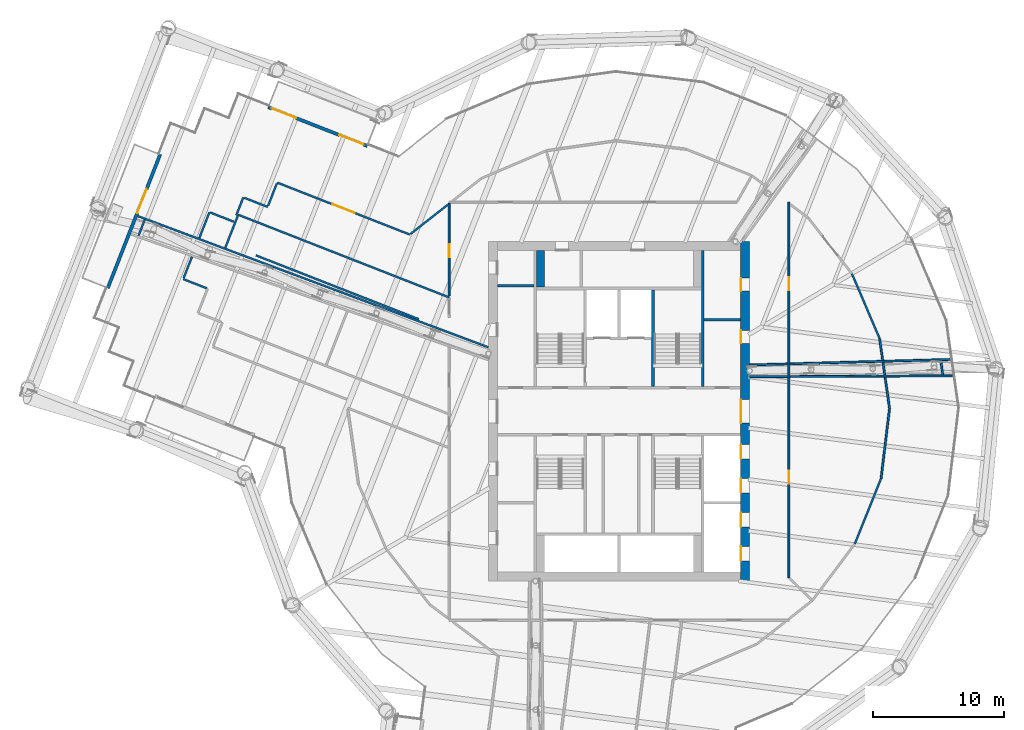
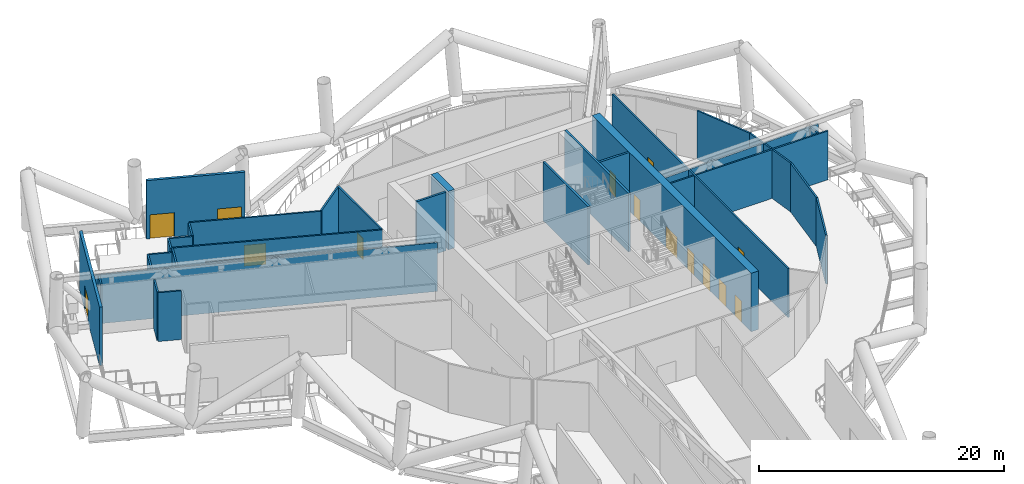
# One storey, part 13 of 36: 35 walls, 14 doors, 14 openings.
"""IFC4 building model written with IfcOpenShell, lengths in metres."""

from ifc_helpers import new_model, si_unit, direction, frame, frame_2d, origin, place, context, subcontext, project, spatial, rectangle, extrude, material, layer, layer_set, type_object, element, fill, save


model = new_model("IFC4")

# Units and contexts
model_context = context("Model", 3, precision=1e-05, world=origin(), true_north=direction((0.0, 1.0)))
body_context = subcontext(model_context, "Body", "Model", "MODEL_VIEW")
ifc_project = project(units=[si_unit("LENGTHUNIT", "METRE"), si_unit("AREAUNIT", "SQUARE_METRE"), si_unit("VOLUMEUNIT", "CUBIC_METRE"), si_unit("PLANEANGLEUNIT", "RADIAN"), si_unit("MASSUNIT", "GRAM", prefix="KILO")], contexts=[model_context])

# Site, building, storey
site_placement = place(None, origin())
site = spatial("IfcSite", under=ifc_project, at=site_placement, CompositionType="ELEMENT")
building_placement = place(site_placement, origin())
building = spatial("IfcBuilding", under=site, at=building_placement, Name="Tarsis Ring Headquarters", CompositionType="ELEMENT")
storey_placement = place(building_placement, frame((0.0, 0.0, 194.39990234375)))
storey = spatial("IfcBuildingStorey", under=building, at=storey_placement, Name="L45", CompositionType="ELEMENT", Elevation=194.39990234375)

# Walls
ifc_material_1 = material(Name="Blockwork", Category="masonry")
ifc_layer_1 = layer(ifc_material_1, 0.199951171875)
ifc_layer_set_1 = layer_set([ifc_layer_1], Name="Core blockwork wall 200")
wall_type_1 = type_object("IfcWallType", Name="Core blockwork wall 200", PredefinedType="PARTITIONING", material=ifc_layer_set_1)
for number, where, z_axis, x_axis, name in (
    (1, (-9.300048828125, 9.60009765625, 0.0), (0.0, 0.0, 1.0), (1.0, 0.0, 0.0), "Core partition WD7"),
    (2, (6.5, 7.0, 0.0), (0.0, 0.0, 1.0), (1.0, 0.0, 0.0), "Core partition ED6"),
):
    element("IfcWall", number, at=place(storey_placement, frame(where, z_axis=z_axis, x_axis=x_axis)), inside=storey, type_object=wall_type_1, Name=name, PredefinedType="PARTITIONING", context=body_context, shape_type="SweptSolid", body=[
        extrude(rectangle(XDim=2.800048828125, YDim=0.199951171875, at=frame_2d((1.39990234375, 0.0))), origin(), (0.0, 0.0, 1.0), 5.840087890625),
    ])

# Wall, openings, doors
ifc_material_2 = material(Name="Concrete C50/60", Category="concrete")
ifc_layer_2 = layer(ifc_material_2, 0.699951171875)
ifc_layer_set_2 = layer_set([ifc_layer_2], Name="Core wall 700 C50/60")
wall_type_2 = type_object("IfcWallType", Name="Core wall 700 C50/60", PredefinedType="SHEAR", material=ifc_layer_set_2)
wall_1_placement = place(storey_placement, frame((9.64990234375, -13.0, 0.0), z_axis=(0.0, 0.0, 1.0), x_axis=(0.0, 1.0, 0.0)))
wall_1 = element("IfcWall", 3, at=wall_1_placement, inside=storey, type_object=wall_type_2, Name="Core wall OE", PredefinedType="SHEAR", context=body_context, shape_type="SweptSolid", body=[
    extrude(rectangle(XDim=26.0, YDim=0.699951171875, at=frame_2d((13.0, 0.0))), origin(), (0.0, 0.0, 1.0), 5.840087890625),
])
opening_1_placement = place(wall_1_placement, frame((1.550048828125, 0.0, 0.0)))
opening_1 = element("IfcOpeningElement", 4, at=opening_1_placement, cuts=wall_1, Name="Opening LD-MR1", PredefinedType="OPENING", context=body_context, shape_type="SweptSolid", body=[
    extrude(rectangle(XDim=1.10009765625, YDim=2.10009765625, at=frame_2d((0.550048828125, 1.050048828125))), frame((0.0, 0.35986328125, 0.0), z_axis=(0.0, -1.0, 0.0), x_axis=(1.0, 0.0, 0.0)), (0.0, 0.0, 1.0), 0.719970703125),
])
opening_2_placement = place(wall_1_placement, frame((4.14990234375, 0.0, 0.0)))
opening_2 = element("IfcOpeningElement", 5, at=opening_2_placement, cuts=wall_1, Name="Opening LD-MR2", PredefinedType="OPENING", context=body_context, shape_type="SweptSolid", body=[
    extrude(rectangle(XDim=1.10009765625, YDim=2.10009765625, at=frame_2d((0.550048828125, 1.050048828125))), frame((0.0, 0.35986328125, 0.0), z_axis=(0.0, -1.0, 0.0), x_axis=(1.0, 0.0, 0.0)), (0.0, 0.0, 1.0), 0.719970703125),
])
opening_3_placement = place(wall_1_placement, frame((6.75, 0.0, 0.0)))
opening_3 = element("IfcOpeningElement", 6, at=opening_3_placement, cuts=wall_1, Name="Opening LD-MR3", PredefinedType="OPENING", context=body_context, shape_type="SweptSolid", body=[
    extrude(rectangle(XDim=1.10009765625, YDim=2.10009765625, at=frame_2d((0.550048828125, 1.050048828125))), frame((0.0, 0.35986328125, 0.0), z_axis=(0.0, -1.0, 0.0), x_axis=(1.0, 0.0, 0.0)), (0.0, 0.0, 1.0), 0.719970703125),
])
opening_4_placement = place(wall_1_placement, frame((9.35009765625, 0.0, 0.0)))
opening_4 = element("IfcOpeningElement", 7, at=opening_4_placement, cuts=wall_1, Name="Opening LD-MR4", PredefinedType="OPENING", context=body_context, shape_type="SweptSolid", body=[
    extrude(rectangle(XDim=1.10009765625, YDim=2.10009765625, at=frame_2d((0.550048828125, 1.050048828125))), frame((0.0, 0.35986328125, 0.0), z_axis=(0.0, -1.0, 0.0), x_axis=(1.0, 0.0, 0.0)), (0.0, 0.0, 1.0), 0.719970703125),
])
opening_5_placement = place(wall_1_placement, frame((12.10009765625, 0.0, 0.0)))
opening_5 = element("IfcOpeningElement", 8, at=opening_5_placement, cuts=wall_1, Name="Opening L45-C10", PredefinedType="OPENING", context=body_context, shape_type="SweptSolid", body=[
    extrude(rectangle(XDim=1.800048828125, YDim=2.10009765625, at=frame_2d((0.89990234375, 1.050048828125))), frame((0.0, 0.35986328125, 0.0), z_axis=(0.0, -1.0, 0.0), x_axis=(1.0, 0.0, 0.0)), (0.0, 0.0, 1.0), 0.719970703125),
])
opening_6_placement = place(wall_1_placement, frame((18.199951171875, 0.0, 0.0)))
opening_6 = element("IfcOpeningElement", 9, at=opening_6_placement, cuts=wall_1, Name="Opening L45-C11", PredefinedType="OPENING", context=body_context, shape_type="SweptSolid", body=[
    extrude(rectangle(XDim=1.0, YDim=2.10009765625, at=frame_2d((0.5, 1.050048828125))), frame((0.0, 0.35986328125, 0.0), z_axis=(0.0, -1.0, 0.0), x_axis=(1.0, 0.0, 0.0)), (0.0, 0.0, 1.0), 0.719970703125),
])
opening_7_placement = place(wall_1_placement, frame((22.199951171875, 0.0, 0.0)))
opening_7 = element("IfcOpeningElement", 10, at=opening_7_placement, cuts=wall_1, Name="Opening L45-C12", PredefinedType="OPENING", context=body_context, shape_type="SweptSolid", body=[
    extrude(rectangle(XDim=1.0, YDim=2.10009765625, at=frame_2d((0.5, 1.050048828125))), frame((0.0, 0.35986328125, 0.0), z_axis=(0.0, -1.0, 0.0), x_axis=(1.0, 0.0, 0.0)), (0.0, 0.0, 1.0), 0.719970703125),
])
ifc_material_3 = material(Name="Steel S355", Category="steel")
door_type_1 = type_object("IfcDoorType", Name="Core entry door 1800x2100", OperationType="DOUBLE_DOOR_SINGLE_SWING", PredefinedType="DOOR", material=ifc_material_3)
door_1_placement = place(opening_5_placement, origin())
door_1 = element("IfcDoor", 11, at=door_1_placement, inside=storey, type_object=door_type_1, Name="Core entry door L45", OperationType="DOUBLE_DOOR_SINGLE_SWING", OverallHeight=2.10009765625, OverallWidth=1.800048828125, PredefinedType="DOOR", context=body_context, shape_type="SweptSolid", body=[
    extrude(rectangle(XDim=1.800048828125, YDim=2.10009765625, at=frame_2d((0.89990234375, 1.050048828125))), frame((0.0, 0.35009765625, 0.0), z_axis=(0.0, -1.0, 0.0), x_axis=(1.0, 0.0, 0.0)), (0.0, 0.0, 1.0), 0.050048828125),
])
fill(opening_5, door_1)
door_type_2 = type_object("IfcDoorType", Name="Core room door 1000x2100", OperationType="SINGLE_SWING_LEFT", PredefinedType="DOOR", material=ifc_material_3)
door_2_placement = place(opening_6_placement, origin())
door_2 = element("IfcDoor", 12, at=door_2_placement, inside=storey, type_object=door_type_2, Name="Core room door L45", OperationType="SINGLE_SWING_LEFT", OverallHeight=2.10009765625, OverallWidth=1.0, PredefinedType="DOOR", context=body_context, shape_type="SweptSolid", body=[
    extrude(rectangle(XDim=1.0, YDim=2.10009765625, at=frame_2d((0.5, 1.050048828125))), frame((0.0, 0.35009765625, 0.0), z_axis=(0.0, -1.0, 0.0), x_axis=(1.0, 0.0, 0.0)), (0.0, 0.0, 1.0), 0.050048828125),
])
fill(opening_6, door_2)
door_3_placement = place(opening_7_placement, origin())
door_3 = element("IfcDoor", 13, at=door_3_placement, inside=storey, type_object=door_type_2, Name="Core room door L45", OperationType="SINGLE_SWING_LEFT", OverallHeight=2.10009765625, OverallWidth=1.0, PredefinedType="DOOR", context=body_context, shape_type="SweptSolid", body=[
    extrude(rectangle(XDim=1.0, YDim=2.10009765625, at=frame_2d((0.5, 1.050048828125))), frame((0.0, 0.35009765625, 0.0), z_axis=(0.0, -1.0, 0.0), x_axis=(1.0, 0.0, 0.0)), (0.0, 0.0, 1.0), 0.050048828125),
])
fill(opening_7, door_3)
door_type_3 = type_object("IfcDoorType", Name="Landing door 1100x2100", OperationType="SLIDING_TO_LEFT", PredefinedType="DOOR", material=ifc_material_3)
door_4_placement = place(opening_1_placement, origin())
door_4 = element("IfcDoor", 14, at=door_4_placement, inside=storey, type_object=door_type_3, Name="Landing door MR1 L45", OperationType="SLIDING_TO_LEFT", OverallHeight=2.10009765625, OverallWidth=1.10009765625, PredefinedType="DOOR", context=body_context, shape_type="SweptSolid", body=[
    extrude(rectangle(XDim=1.10009765625, YDim=2.10009765625, at=frame_2d((0.550048828125, 1.050048828125))), frame((0.0, 0.35009765625, 0.0), z_axis=(0.0, -1.0, 0.0), x_axis=(1.0, 0.0, 0.0)), (0.0, 0.0, 1.0), 0.050048828125),
])
fill(opening_1, door_4)
door_5_placement = place(opening_2_placement, origin())
door_5 = element("IfcDoor", 15, at=door_5_placement, inside=storey, type_object=door_type_3, Name="Landing door MR2 L45", OperationType="SLIDING_TO_LEFT", OverallHeight=2.10009765625, OverallWidth=1.10009765625, PredefinedType="DOOR", context=body_context, shape_type="SweptSolid", body=[
    extrude(rectangle(XDim=1.10009765625, YDim=2.10009765625, at=frame_2d((0.550048828125, 1.050048828125))), frame((0.0, 0.35009765625, 0.0), z_axis=(0.0, -1.0, 0.0), x_axis=(1.0, 0.0, 0.0)), (0.0, 0.0, 1.0), 0.050048828125),
])
fill(opening_2, door_5)
door_6_placement = place(opening_3_placement, origin())
door_6 = element("IfcDoor", 16, at=door_6_placement, inside=storey, type_object=door_type_3, Name="Landing door MR3 L45", OperationType="SLIDING_TO_LEFT", OverallHeight=2.10009765625, OverallWidth=1.10009765625, PredefinedType="DOOR", context=body_context, shape_type="SweptSolid", body=[
    extrude(rectangle(XDim=1.10009765625, YDim=2.10009765625, at=frame_2d((0.550048828125, 1.050048828125))), frame((0.0, 0.35009765625, 0.0), z_axis=(0.0, -1.0, 0.0), x_axis=(1.0, 0.0, 0.0)), (0.0, 0.0, 1.0), 0.050048828125),
])
fill(opening_3, door_6)
door_7_placement = place(opening_4_placement, origin())
door_7 = element("IfcDoor", 17, at=door_7_placement, inside=storey, type_object=door_type_3, Name="Landing door MR4 L45", OperationType="SLIDING_TO_LEFT", OverallHeight=2.10009765625, OverallWidth=1.10009765625, PredefinedType="DOOR", context=body_context, shape_type="SweptSolid", body=[
    extrude(rectangle(XDim=1.10009765625, YDim=2.10009765625, at=frame_2d((0.550048828125, 1.050048828125))), frame((0.0, 0.35009765625, 0.0), z_axis=(0.0, -1.0, 0.0), x_axis=(1.0, 0.0, 0.0)), (0.0, 0.0, 1.0), 0.050048828125),
])
fill(opening_4, door_7)

ifc_material_4 = material(Name="Gypsum board on steel studs", Category="steel")
ifc_layer_3 = layer(ifc_material_4, 0.14990234375)
ifc_layer_set_3 = layer_set([ifc_layer_3], Name="FL partition 150 EI 120 H4870")
wall_type_3 = type_object("IfcWallType", Name="FL partition 150 EI 120 H4870", PredefinedType="PARTITIONING", material=ifc_layer_set_3)
wall_2_placement = place(storey_placement, frame((13.0, -12.73046875, 0.0), z_axis=(0.0, 0.0, 1.0), x_axis=(0.0, 1.0, 0.0)))
wall_2 = element("IfcWall", 18, at=wall_2_placement, inside=storey, type_object=wall_type_3, Name="Partition PW2H487", PredefinedType="PARTITIONING", context=body_context, shape_type="SweptSolid", body=[
    extrude(rectangle(XDim=28.728515625, YDim=0.14990234375, at=frame_2d((14.3642578125, 0.0))), origin(), (0.0, 0.0, 1.0), 4.8701171875),
])
opening_8_placement = place(wall_2_placement, frame((22.001220703125, 0.0, 0.0)))
opening_8 = element("IfcOpeningElement", 19, at=opening_8_placement, cuts=wall_2, Name="Opening D45.06", PredefinedType="OPENING", context=body_context, shape_type="SweptSolid", body=[
    extrude(rectangle(XDim=1.0, YDim=2.10009765625, at=frame_2d((0.5, 1.050048828125))), frame((0.0, 0.0849609375, 0.0), z_axis=(0.0, -1.0, 0.0), x_axis=(1.0, 0.0, 0.0)), (0.0, 0.0, 1.0), 0.169921875),
])
opening_9_placement = place(wall_2_placement, frame((7.197021484375, 0.0, 0.0)))
opening_9 = element("IfcOpeningElement", 20, at=opening_9_placement, cuts=wall_2, Name="Opening D45.07", PredefinedType="OPENING", context=body_context, shape_type="SweptSolid", body=[
    extrude(rectangle(XDim=1.0, YDim=2.10009765625, at=frame_2d((0.5, 1.050048828125))), frame((0.0, 0.0849609375, 0.0), z_axis=(0.0, -1.0, 0.0), x_axis=(1.0, 0.0, 0.0)), (0.0, 0.0, 1.0), 0.169921875),
])
ifc_material_5 = material(Name="Fire-rated timber door leaf in steel frame", Category="steel")
door_type_4 = type_object("IfcDoorType", Name="FL door FD120-1000", OperationType="NOTDEFINED", PredefinedType="DOOR", material=ifc_material_5)
door_8_placement = place(opening_8_placement, origin())
door_8 = element("IfcDoor", 21, at=door_8_placement, inside=storey, type_object=door_type_4, Name="Door D45.06", OperationType="SINGLE_SWING_LEFT", OverallHeight=2.10009765625, OverallWidth=1.0, PredefinedType="DOOR", context=body_context, shape_type="SweptSolid", body=[
    extrude(rectangle(XDim=1.0, YDim=2.10009765625, at=frame_2d((0.5, 1.050048828125))), frame((0.0, 0.02490234375, 0.0), z_axis=(0.0, -1.0, 0.0), x_axis=(1.0, 0.0, 0.0)), (0.0, 0.0, 1.0), 0.050048828125),
])
fill(opening_8, door_8)
door_9_placement = place(opening_9_placement, origin())
door_9 = element("IfcDoor", 22, at=door_9_placement, inside=storey, type_object=door_type_4, Name="Door D45.07", OperationType="SINGLE_SWING_RIGHT", OverallHeight=2.10009765625, OverallWidth=1.0, PredefinedType="DOOR", context=body_context, shape_type="SweptSolid", body=[
    extrude(rectangle(XDim=1.0, YDim=2.10009765625, at=frame_2d((0.5, 1.050048828125))), frame((0.0, 0.02490234375, 0.0), z_axis=(0.0, -1.0, 0.0), x_axis=(1.0, 0.0, 0.0)), (0.0, 0.0, 1.0), 0.050048828125),
])
fill(opening_9, door_9)

# Walls
wall_3_placement = place(storey_placement, frame((-37.02490234375, 15.0126953125, 0.0), z_axis=(0.0, 0.0, 1.0), x_axis=(0.936537269458, -0.350568028941, 0.0)))
element("IfcWall", 23, at=wall_3_placement, inside=storey, type_object=wall_type_3, Name="Partition PW2H487", PredefinedType="PARTITIONING", context=body_context, shape_type="SweptSolid", body=[
    extrude(rectangle(XDim=28.85791015625, YDim=0.14990234375, at=frame_2d((14.428955078125, 0.0))), origin(), (0.0, 0.0, 1.0), 4.8701171875),
])
wall_4_placement = place(storey_placement, frame((-29.150634765625, 15.043701171875, 0.0), z_axis=(0.0, 0.0, 1.0), x_axis=(0.931051403664, -0.36488804274, 0.0)))
element("IfcWall", 24, at=wall_4_placement, inside=storey, type_object=wall_type_3, Name="Partition PW2H487", PredefinedType="PARTITIONING", context=body_context, shape_type="SweptSolid", body=[
    extrude(rectangle(XDim=17.3466796875, YDim=0.14990234375, at=frame_2d((8.67333984375, 0.0))), origin(), (0.0, 0.0, 1.0), 4.8701171875),
])
wall_5_placement = place(storey_placement, frame((10.0, 2.64599609375, 0.0), z_axis=(0.0, 0.0, 1.0), x_axis=(0.999989461595, 0.004590936593, 0.0)))
element("IfcWall", 25, at=wall_5_placement, inside=storey, type_object=wall_type_3, Name="Partition PW2H487", PredefinedType="PARTITIONING", context=body_context, shape_type="SweptSolid", body=[
    extrude(rectangle(XDim=2.9248046875, YDim=0.14990234375, at=frame_2d((1.46240234375, 0.0))), origin(), (0.0, 0.0, 1.0), 4.8701171875),
])
wall_6_placement = place(storey_placement, frame((13.0751953125, 2.66015625, 0.0), z_axis=(0.0, 0.0, 1.0), x_axis=(0.999989504585, 0.004581563082, 0.0)))
element("IfcWall", 26, at=wall_6_placement, inside=storey, type_object=wall_type_3, Name="Partition PW2H487", PredefinedType="PARTITIONING", context=body_context, shape_type="SweptSolid", body=[
    extrude(rectangle(XDim=12.522705078125, YDim=0.14990234375, at=frame_2d((6.26123046875, 0.0))), origin(), (0.0, 0.0, 1.0), 4.8701171875),
])
wall_7_placement = place(storey_placement, frame((10.0, 3.54541015625, 0.0), z_axis=(0.0, 0.0, 1.0), x_axis=(0.999624906213, 0.027386983732, 0.0)))
element("IfcWall", 27, at=wall_7_placement, inside=storey, type_object=wall_type_3, Name="Partition PW2H487", PredefinedType="PARTITIONING", context=body_context, shape_type="SweptSolid", body=[
    extrude(rectangle(XDim=2.923828125, YDim=0.14990234375, at=frame_2d((1.4619140625, 0.0))), origin(), (0.0, 0.0, 1.0), 4.8701171875),
])
wall_8_placement = place(storey_placement, frame((13.0771484375, 3.6298828125, 0.0), z_axis=(0.0, 0.0, 1.0), x_axis=(0.999623889665, 0.027424062641, 0.0)))
element("IfcWall", 28, at=wall_8_placement, inside=storey, type_object=wall_type_3, Name="Partition PW2H487", PredefinedType="PARTITIONING", context=body_context, shape_type="SweptSolid", body=[
    extrude(rectangle(XDim=12.34765625, YDim=0.14990234375, at=frame_2d((6.173828125, 0.0))), origin(), (0.0, 0.0, 1.0), 4.8701171875),
])
wall_9_placement = place(storey_placement, frame((-27.7900390625, 11.9326171875, 0.0), z_axis=(0.0, 0.0, 1.0), x_axis=(0.931059032711, -0.364868575801, 0.0)))
element("IfcWall", 29, at=wall_9_placement, inside=storey, type_object=wall_type_3, Name="Partition PW2H487", PredefinedType="PARTITIONING", context=body_context, shape_type="SweptSolid", body=[
    extrude(rectangle(XDim=13.397705078125, YDim=0.14990234375, at=frame_2d((6.69873046875, 0.0))), origin(), (0.0, 0.0, 1.0), 4.8701171875),
])

# Wall, opening, door
wall_10_placement = place(storey_placement, frame((-26.1669921875, 17.504638671875, 0.0), z_axis=(0.0, 0.0, 1.0), x_axis=(0.931048697296, -0.364894948256, 0.0)))
wall_10 = element("IfcWall", 30, at=wall_10_placement, inside=storey, type_object=wall_type_3, Name="Partition PW2H487", PredefinedType="PARTITIONING", context=body_context, shape_type="SweptSolid", body=[
    extrude(rectangle(XDim=10.90185546875, YDim=0.14990234375, at=frame_2d((5.450927734375, 0.0))), origin(), (0.0, 0.0, 1.0), 4.8701171875),
])
opening_10_placement = place(wall_10_placement, frame((4.55078125, 0.0, 0.0)))
opening_10 = element("IfcOpeningElement", 31, at=opening_10_placement, cuts=wall_10, Name="Opening D45.17", PredefinedType="OPENING", context=body_context, shape_type="SweptSolid", body=[
    extrude(rectangle(XDim=1.800048828125, YDim=2.10009765625, at=frame_2d((0.89990234375, 1.050048828125))), frame((0.0, 0.0849609375, 0.0), z_axis=(0.0, -1.0, 0.0), x_axis=(1.0, 0.0, 0.0)), (0.0, 0.0, 1.0), 0.169921875),
])
door_type_5 = type_object("IfcDoorType", Name="FL door FD120-1800", OperationType="DOUBLE_DOOR_SINGLE_SWING", PredefinedType="DOOR", material=ifc_material_5)
door_10_placement = place(opening_10_placement, origin())
door_10 = element("IfcDoor", 32, at=door_10_placement, inside=storey, type_object=door_type_5, Name="Door D45.17", OperationType="DOUBLE_DOOR_SINGLE_SWING", OverallHeight=2.10009765625, OverallWidth=1.800048828125, PredefinedType="DOOR", context=body_context, shape_type="SweptSolid", body=[
    extrude(rectangle(XDim=1.800048828125, YDim=2.10009765625, at=frame_2d((0.89990234375, 1.050048828125))), frame((0.0, 0.02490234375, 0.0), z_axis=(0.0, -1.0, 0.0), x_axis=(1.0, 0.0, 0.0)), (0.0, 0.0, 1.0), 0.050048828125),
])
fill(opening_10, door_10)

wall_11_placement = place(storey_placement, frame((-13.0, 8.82421875, 0.0), z_axis=(0.0, 0.0, 1.0), x_axis=(0.0, 1.0, 0.0)))
wall_11 = element("IfcWall", 33, at=wall_11_placement, inside=storey, type_object=wall_type_3, Name="Partition PW2H487", PredefinedType="PARTITIONING", context=body_context, shape_type="SweptSolid", body=[
    extrude(rectangle(XDim=7.09375, YDim=0.14990234375, at=frame_2d((3.546875, 0.0))), origin(), (0.0, 0.0, 1.0), 4.8701171875),
])
opening_11_placement = place(wall_11_placement, frame((2.97900390625, 0.0, 0.0)))
opening_11 = element("IfcOpeningElement", 34, at=opening_11_placement, cuts=wall_11, Name="Opening D45.01", PredefinedType="OPENING", context=body_context, shape_type="SweptSolid", body=[
    extrude(rectangle(XDim=1.0, YDim=2.10009765625, at=frame_2d((0.5, 1.050048828125))), frame((0.0, 0.0849609375, 0.0), z_axis=(0.0, -1.0, 0.0), x_axis=(1.0, 0.0, 0.0)), (0.0, 0.0, 1.0), 0.169921875),
])
door_11_placement = place(opening_11_placement, origin())
door_11 = element("IfcDoor", 35, at=door_11_placement, inside=storey, type_object=door_type_4, Name="Door D45.01", OperationType="SINGLE_SWING_RIGHT", OverallHeight=2.10009765625, OverallWidth=1.0, PredefinedType="DOOR", context=body_context, shape_type="SweptSolid", body=[
    extrude(rectangle(XDim=1.0, YDim=2.10009765625, at=frame_2d((0.5, 1.050048828125))), frame((0.0, 0.02490234375, 0.0), z_axis=(0.0, -1.0, 0.0), x_axis=(1.0, 0.0, 0.0)), (0.0, 0.0, 1.0), 0.050048828125),
])
fill(opening_11, door_11)

# Walls
wall_12_placement = place(storey_placement, frame((18.044189453125, -10.155517578125, 0.0), z_axis=(0.0, 0.0, 1.0), x_axis=(0.372981815993, 0.927838652427, 0.0)))
element("IfcWall", 36, at=wall_12_placement, inside=storey, type_object=wall_type_3, Name="Partition PW2H487", PredefinedType="PARTITIONING", context=body_context, shape_type="SweptSolid", body=[
    extrude(rectangle(XDim=5.39501953125, YDim=0.14990234375, at=frame_2d((2.697509765625, 0.0))), origin(), (0.0, 0.0, 1.0), 4.8701171875),
])
wall_13_placement = place(storey_placement, frame((17.82763671875, 10.53125, 0.0), z_axis=(0.0, 0.0, 1.0), x_axis=(0.39230749259, -0.91983413247, 0.0)))
element("IfcWall", 37, at=wall_13_placement, inside=storey, type_object=wall_type_3, Name="Partition PW2H487", PredefinedType="PARTITIONING", context=body_context, shape_type="SweptSolid", body=[
    extrude(rectangle(XDim=5.394775390625, YDim=0.14990234375, at=frame_2d((2.697265625, 0.0))), origin(), (0.0, 0.0, 1.0), 4.8701171875),
])
wall_14_placement = place(storey_placement, frame((20.057861328125, -5.139404296875, 0.0), z_axis=(0.0, 0.0, 1.0), x_axis=(0.120146217945, 0.992756206887, 0.0)))
element("IfcWall", 38, at=wall_14_placement, inside=storey, type_object=wall_type_3, Name="Partition PW2H487", PredefinedType="PARTITIONING", context=body_context, shape_type="SweptSolid", body=[
    extrude(rectangle(XDim=5.39501953125, YDim=0.14990234375, at=frame_2d((2.697509765625, 0.0))), origin(), (0.0, 0.0, 1.0), 4.8701171875),
])
wall_15_placement = place(storey_placement, frame((19.94580078125, 5.558349609375, 0.0), z_axis=(0.0, 0.0, 1.0), x_axis=(0.140908675771, -0.990022598274, 0.0)))
element("IfcWall", 39, at=wall_15_placement, inside=storey, type_object=wall_type_3, Name="Partition PW2H487", PredefinedType="PARTITIONING", context=body_context, shape_type="SweptSolid", body=[
    extrude(rectangle(XDim=1.666748046875, YDim=0.14990234375, at=frame_2d((0.83349609375, 0.0))), origin(), (0.0, 0.0, 1.0), 4.8701171875),
])
wall_16_placement = place(storey_placement, frame((20.204345703125, 3.74169921875, 0.0), z_axis=(0.0, 0.0, 1.0), x_axis=(0.140823895774, -0.990034661201, 0.0)))
element("IfcWall", 40, at=wall_16_placement, inside=storey, type_object=wall_type_3, Name="Partition PW2H487", PredefinedType="PARTITIONING", context=body_context, shape_type="SweptSolid", body=[
    extrude(rectangle(XDim=0.97265625, YDim=0.14990234375, at=frame_2d((0.486328125, 0.0))), origin(), (0.0, 0.0, 1.0), 4.8701171875),
])
wall_17_placement = place(storey_placement, frame((20.36572265625, 2.6083984375, 0.0), z_axis=(0.0, 0.0, 1.0), x_axis=(0.140881357661, -0.990026486041, 0.0)))
element("IfcWall", 41, at=wall_17_placement, inside=storey, type_object=wall_type_3, Name="Partition PW2H487", PredefinedType="PARTITIONING", context=body_context, shape_type="SweptSolid", body=[
    extrude(rectangle(XDim=2.4052734375, YDim=0.14990234375, at=frame_2d((1.20263671875, 0.0))), origin(), (0.0, 0.0, 1.0), 4.8701171875),
])
wall_18_placement = place(storey_placement, frame((-15.970947265625, 13.565673828125, 0.0), z_axis=(0.0, 0.0, 1.0), x_axis=(0.786921871226, 0.617052646527, 0.0)))
element("IfcWall", 42, at=wall_18_placement, inside=storey, type_object=wall_type_3, Name="Partition PW2H487", PredefinedType="PARTITIONING", context=body_context, shape_type="SweptSolid", body=[
    extrude(rectangle(XDim=3.63330078125, YDim=0.14990234375, at=frame_2d((1.816650390625, 0.0))), origin(), (0.0, 0.0, 1.0), 4.8701171875),
])
wall_19_placement = place(storey_placement, frame((-30.14111328125, 12.51611328125, 0.0), z_axis=(0.0, 0.0, 1.0), x_axis=(0.364846559088, 0.931067660442, 0.0)))
element("IfcWall", 43, at=wall_19_placement, inside=storey, type_object=wall_type_3, Name="Partition PW2H487", PredefinedType="PARTITIONING", context=body_context, shape_type="SweptSolid", body=[
    extrude(rectangle(XDim=2.634521484375, YDim=0.14990234375, at=frame_2d((1.3173828125, 0.0))), origin(), (0.0, 0.0, 1.0), 4.8701171875),
])
wall_20_placement = place(storey_placement, frame((-32.126953125, 13.259521484375, 0.0), z_axis=(0.0, 0.0, 1.0), x_axis=(0.364910004827, 0.931042796211, 0.0)))
element("IfcWall", 44, at=wall_20_placement, inside=storey, type_object=wall_type_3, Name="Partition PW2H487", PredefinedType="PARTITIONING", context=body_context, shape_type="SweptSolid", body=[
    extrude(rectangle(XDim=2.126953125, YDim=0.14990234375, at=frame_2d((1.0634765625, 0.0))), origin(), (0.0, 0.0, 1.0), 4.8701171875),
])
wall_21_placement = place(storey_placement, frame((-31.2763671875, 15.210693359375, 0.0), z_axis=(0.0, 0.0, 1.0), x_axis=(0.931032505654, -0.364936259386, 0.0)))
element("IfcWall", 45, at=wall_21_placement, inside=storey, type_object=wall_type_3, Name="Partition PW2H487", PredefinedType="PARTITIONING", context=body_context, shape_type="SweptSolid", body=[
    extrude(rectangle(XDim=1.919921875, YDim=0.14990234375, at=frame_2d((0.9599609375, 0.0))), origin(), (0.0, 0.0, 1.0), 4.8701171875),
])
wall_22_placement = place(storey_placement, frame((-29.29150390625, 15.012939453125, 0.0), z_axis=(0.0, 0.0, 1.0), x_axis=(0.364865863604, 0.931060095577, 0.0)))
element("IfcWall", 46, at=wall_22_placement, inside=storey, type_object=wall_type_3, Name="Partition PW2H487", PredefinedType="PARTITIONING", context=body_context, shape_type="SweptSolid", body=[
    extrude(rectangle(XDim=1.4599609375, YDim=0.14990234375, at=frame_2d((0.72998046875, 0.0))), origin(), (0.0, 0.0, 1.0), 4.8701171875),
])
wall_23_placement = place(storey_placement, frame((-28.684326171875, 16.343017578125, 0.0), z_axis=(0.0, 0.0, 1.0), x_axis=(0.93107570444, -0.364826030598, 0.0)))
element("IfcWall", 47, at=wall_23_placement, inside=storey, type_object=wall_type_3, Name="Partition PW2H487", PredefinedType="PARTITIONING", context=body_context, shape_type="SweptSolid", body=[
    extrude(rectangle(XDim=1.919921875, YDim=0.14990234375, at=frame_2d((0.9599609375, 0.0))), origin(), (0.0, 0.0, 1.0), 4.8701171875),
])
wall_24_placement = place(storey_placement, frame((-26.86767578125, 15.717041015625, 0.0), z_axis=(0.0, 0.0, 1.0), x_axis=(0.36488457928, 0.93105276102, 0.0)))
element("IfcWall", 48, at=wall_24_placement, inside=storey, type_object=wall_type_3, Name="Partition PW2H487", PredefinedType="PARTITIONING", context=body_context, shape_type="SweptSolid", body=[
    extrude(rectangle(XDim=1.840087890625, YDim=0.14990234375, at=frame_2d((0.919921875, 0.0))), origin(), (0.0, 0.0, 1.0), 4.8701171875),
])
wall_25_placement = place(storey_placement, frame((-33.355712890625, 10.118408203125, 0.0), z_axis=(0.0, 0.0, 1.0), x_axis=(0.93102663408, -0.364951238707, 0.0)))
element("IfcWall", 49, at=wall_25_placement, inside=storey, type_object=wall_type_3, Name="Partition PW2H487", PredefinedType="PARTITIONING", context=body_context, shape_type="SweptSolid", body=[
    extrude(rectangle(XDim=1.91796875, YDim=0.14990234375, at=frame_2d((0.958984375, 0.0))), origin(), (0.0, 0.0, 1.0), 4.8701171875),
])
wall_26_placement = place(storey_placement, frame((-33.32763671875, 10.1953125, 0.0), z_axis=(0.0, 0.0, 1.0), x_axis=(0.364903044075, 0.931045524357, 0.0)))
element("IfcWall", 50, at=wall_26_placement, inside=storey, type_object=wall_type_3, Name="Partition PW2H487", PredefinedType="PARTITIONING", context=body_context, shape_type="SweptSolid", body=[
    extrude(rectangle(XDim=1.754150390625, YDim=0.14990234375, at=frame_2d((0.876953125, 0.0))), origin(), (0.0, 0.0, 1.0), 4.8701171875),
])
wall_27_placement = place(storey_placement, frame((-36.78271484375, 13.4384765625, 0.0), z_axis=(0.0, 0.0, 1.0), x_axis=(0.36504335172, 0.93099052163, 0.0)))
element("IfcWall", 51, at=wall_27_placement, inside=storey, type_object=wall_type_3, Name="Partition PW2H487", PredefinedType="PARTITIONING", context=body_context, shape_type="SweptSolid", body=[
    extrude(rectangle(XDim=1.31494140625, YDim=0.14990234375, at=frame_2d((0.657470703125, 0.0))), origin(), (0.0, 0.0, 1.0), 4.8701171875),
])
wall_28_placement = place(storey_placement, frame((24.631591796875, 3.8623046875, 0.0), z_axis=(0.0, 0.0, 1.0), x_axis=(0.140976392308, -0.990012957901, 0.0)))
element("IfcWall", 52, at=wall_28_placement, inside=storey, type_object=wall_type_3, Name="Partition PW2H487", PredefinedType="PARTITIONING", context=body_context, shape_type="SweptSolid", body=[
    extrude(rectangle(XDim=1.075439453125, YDim=0.14990234375, at=frame_2d((0.53759765625, 0.0))), origin(), (0.0, 0.0, 1.0), 4.8701171875),
])

# Wall, openings, doors
ifc_material_6 = material(Name="Terracotta clad insulated panel wall", Category="masonry")
ifc_layer_4 = layer(ifc_material_6, 0.25)
ifc_layer_set_4 = layer_set([ifc_layer_4], Name="Facade wall terracotta panel 250")
wall_type_4 = type_object("IfcWallType", Name="Facade wall terracotta panel 250", PredefinedType="STANDARD", material=ifc_layer_set_4)
wall_29_placement = place(storey_placement, frame((-19.26806640625, 20.305419921875, 0.0), z_axis=(0.0, 0.0, 1.0), x_axis=(-0.931060599928, 0.364864576605, 0.0)))
wall_29 = element("IfcWall", 53, at=wall_29_placement, inside=storey, type_object=wall_type_4, Name="External wall L45-05", PredefinedType="STANDARD", context=body_context, shape_type="SweptSolid", body=[
    extrude(rectangle(XDim=8.1513671875, YDim=0.25, at=frame_2d((4.07568359375, 0.0))), origin(), (0.0, 0.0, 1.0), 5.840087890625),
])
opening_12_placement = place(wall_29_placement, frame((0.300048828125, 0.0, 0.0)))
opening_12 = element("IfcOpeningElement", 54, at=opening_12_placement, cuts=wall_29, Name="Opening L45-BD08", PredefinedType="OPENING", context=body_context, shape_type="SweptSolid", body=[
    extrude(rectangle(XDim=2.0, YDim=2.39990234375, at=frame_2d((1.0, 1.199951171875))), frame((0.0, 0.135009765625, 0.0), z_axis=(0.0, -1.0, 0.0), x_axis=(1.0, 0.0, 0.0)), (0.0, 0.0, 1.0), 0.27001953125),
])
opening_13_placement = place(wall_29_placement, frame((5.851318359375, 0.0, 0.0)))
opening_13 = element("IfcOpeningElement", 55, at=opening_13_placement, cuts=wall_29, Name="Opening L45-BD09", PredefinedType="OPENING", context=body_context, shape_type="SweptSolid", body=[
    extrude(rectangle(XDim=2.0, YDim=2.39990234375, at=frame_2d((1.0, 1.199951171875))), frame((0.0, 0.135009765625, 0.0), z_axis=(0.0, -1.0, 0.0), x_axis=(1.0, 0.0, 0.0)), (0.0, 0.0, 1.0), 0.27001953125),
])
ifc_material_7 = material(Name="Aluminium framed double glazing", Category="aluminium")
door_type_6 = type_object("IfcDoorType", Name="Balcony sliding door 2000 x 2400", OperationType="SLIDING_TO_LEFT", PredefinedType="DOOR", material=ifc_material_7)
door_12_placement = place(opening_12_placement, origin())
door_12 = element("IfcDoor", 56, at=door_12_placement, inside=storey, type_object=door_type_6, Name="Door L45-BD08", OperationType="SINGLE_SWING_LEFT", OverallHeight=2.39990234375, OverallWidth=2.0, PredefinedType="DOOR", context=body_context, shape_type="SweptSolid", body=[
    extrude(rectangle(XDim=2.0, YDim=2.39990234375, at=frame_2d((1.0, 1.199951171875))), frame((0.0, 0.02490234375, 0.0), z_axis=(0.0, -1.0, 0.0), x_axis=(1.0, 0.0, 0.0)), (0.0, 0.0, 1.0), 0.050048828125),
])
fill(opening_12, door_12)
door_13_placement = place(opening_13_placement, origin())
door_13 = element("IfcDoor", 57, at=door_13_placement, inside=storey, type_object=door_type_6, Name="Door L45-BD09", OperationType="SINGLE_SWING_LEFT", OverallHeight=2.39990234375, OverallWidth=2.0, PredefinedType="DOOR", context=body_context, shape_type="SweptSolid", body=[
    extrude(rectangle(XDim=2.0, YDim=2.39990234375, at=frame_2d((1.0, 1.199951171875))), frame((0.0, 0.02490234375, 0.0), z_axis=(0.0, -1.0, 0.0), x_axis=(1.0, 0.0, 0.0)), (0.0, 0.0, 1.0), 0.050048828125),
])
fill(opening_13, door_13)

# Wall, opening, door
wall_30_placement = place(storey_placement, frame((-35.119140625, 19.670166015625, 0.0), z_axis=(0.0, 0.0, 1.0), x_axis=(-0.364864598886, -0.931060591197, 0.0)))
wall_30 = element("IfcWall", 58, at=wall_30_placement, inside=storey, type_object=wall_type_4, Name="External wall L45-06", PredefinedType="STANDARD", context=body_context, shape_type="SweptSolid", body=[
    extrude(rectangle(XDim=10.999755859375, YDim=0.25, at=frame_2d((5.5, 0.0))), origin(), (0.0, 0.0, 1.0), 5.840087890625),
])
opening_14_placement = place(wall_30_placement, frame((2.85009765625, 0.0, 0.0)))
opening_14 = element("IfcOpeningElement", 59, at=opening_14_placement, cuts=wall_30, Name="Opening L45-BD10", PredefinedType="OPENING", context=body_context, shape_type="SweptSolid", body=[
    extrude(rectangle(XDim=2.0, YDim=2.39990234375, at=frame_2d((1.0, 1.199951171875))), frame((0.0, 0.135009765625, 0.0), z_axis=(0.0, -1.0, 0.0), x_axis=(1.0, 0.0, 0.0)), (0.0, 0.0, 1.0), 0.27001953125),
])
door_14_placement = place(opening_14_placement, origin())
door_14 = element("IfcDoor", 60, at=door_14_placement, inside=storey, type_object=door_type_6, Name="Door L45-BD10", OperationType="SINGLE_SWING_LEFT", OverallHeight=2.39990234375, OverallWidth=2.0, PredefinedType="DOOR", context=body_context, shape_type="SweptSolid", body=[
    extrude(rectangle(XDim=2.0, YDim=2.39990234375, at=frame_2d((1.0, 1.199951171875))), frame((0.0, 0.02490234375, 0.0), z_axis=(0.0, -1.0, 0.0), x_axis=(1.0, 0.0, 0.0)), (0.0, 0.0, 1.0), 0.050048828125),
])
fill(opening_14, door_14)

# Walls
ifc_material_8 = material(Name="Concrete C32/40", Category="concrete")
ifc_layer_5 = layer(ifc_material_8, 0.60009765625)
ifc_layer_set_5 = layer_set([ifc_layer_5], Name="Shaft end wall 600 C32/40")
wall_type_5 = type_object("IfcWallType", Name="Shaft end wall 600 C32/40", PredefinedType="SOLIDWALL", material=ifc_layer_set_5)
wall_31_placement = place(storey_placement, frame((-6.0, 9.5, 0.0), z_axis=(0.0, 0.0, 1.0), x_axis=(0.0, 1.0, 0.0)))
element("IfcWall", 61, at=wall_31_placement, inside=storey, type_object=wall_type_5, Name="Core shaft wall NNE1", PredefinedType="SOLIDWALL", context=body_context, shape_type="SweptSolid", body=[
    extrude(rectangle(XDim=2.800048828125, YDim=0.60009765625, at=frame_2d((1.39990234375, 0.0))), origin(), (0.0, 0.0, 1.0), 5.840087890625),
])
ifc_layer_6 = layer(ifc_material_8, 0.199951171875)
ifc_layer_set_6 = layer_set([ifc_layer_6], Name="Shaft wall 200 C32/40")
wall_type_6 = type_object("IfcWallType", Name="Shaft wall 200 C32/40", PredefinedType="SOLIDWALL", material=ifc_layer_set_6)
wall_32_placement = place(storey_placement, frame((6.39990234375, 1.89990234375, 0.0), z_axis=(0.0, 0.0, 1.0), x_axis=(0.0, 1.0, 0.0)))
element("IfcWall", 62, at=wall_32_placement, inside=storey, type_object=wall_type_6, Name="Core shaft wall EB2", PredefinedType="SOLIDWALL", context=body_context, shape_type="SweptSolid", body=[
    extrude(rectangle(XDim=10.400146484375, YDim=0.199951171875, at=frame_2d((5.2001953125, 0.0))), origin(), (0.0, 0.0, 1.0), 5.840087890625),
])
wall_33_placement = place(storey_placement, frame((2.60009765625, 1.89990234375, 0.0), z_axis=(0.0, 0.0, 1.0), x_axis=(0.0, 1.0, 0.0)))
element("IfcWall", 63, at=wall_33_placement, inside=storey, type_object=wall_type_6, Name="Core shaft wall SW2", PredefinedType="SOLIDWALL", context=body_context, shape_type="SweptSolid", body=[
    extrude(rectangle(XDim=7.400146484375, YDim=0.199951171875, at=frame_2d((3.7001953125, 0.0))), origin(), (0.0, 0.0, 1.0), 5.840087890625),
])

save(model, "model.ifc")
